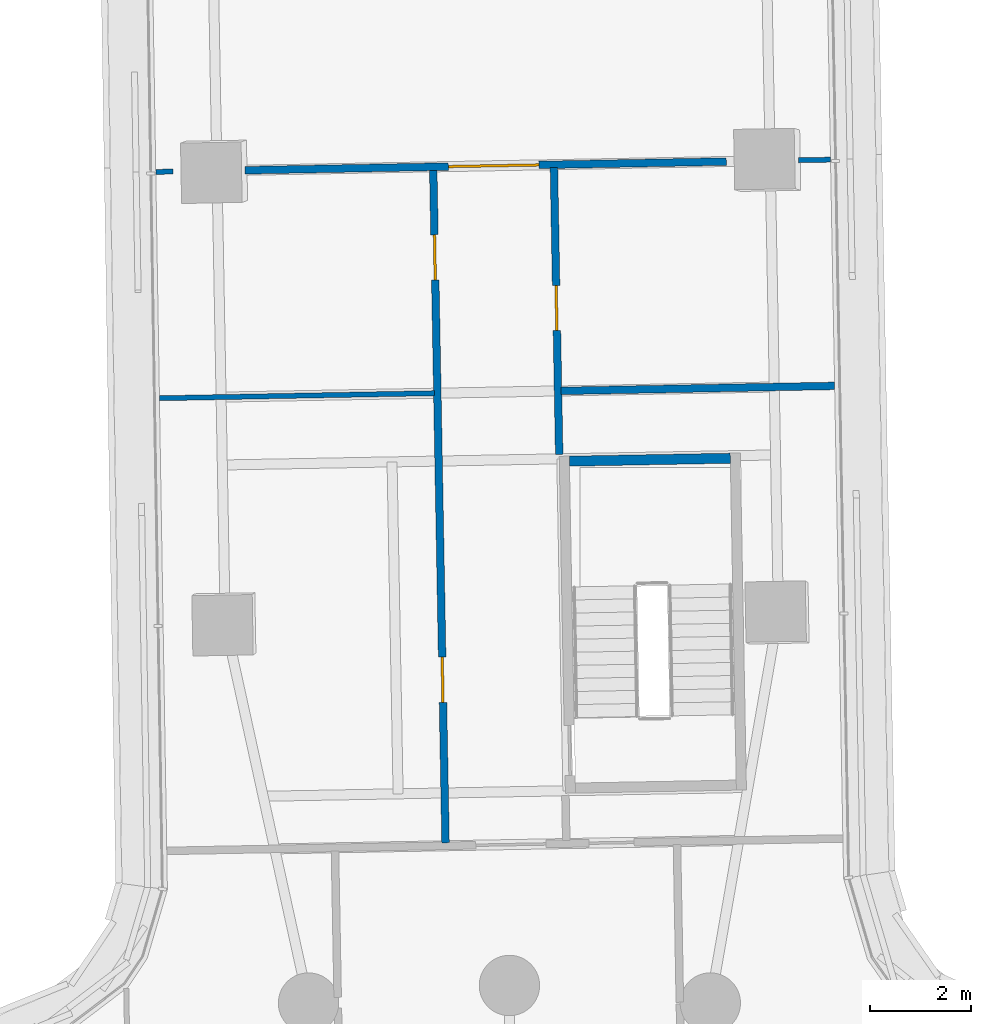
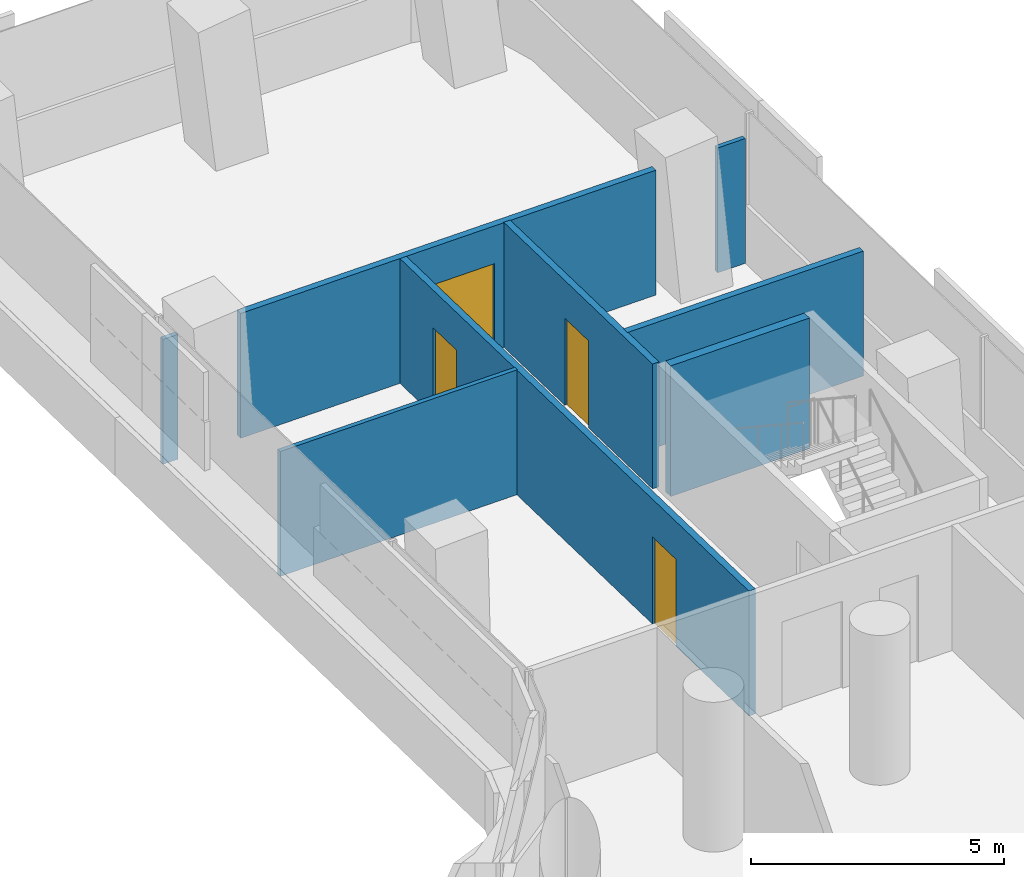
# One storey, part 23 of 31: 8 walls, 4 doors, 4 openings.
"""IFC4 building model written with IfcOpenShell, lengths in metres."""

from ifc_helpers import new_model, si_unit, direction, frame, frame_2d, origin, place, context, subcontext, project, spatial, polyline, rectangle, outline, extrude, material, layer, layer_set, type_object, element, fill, save


model = new_model("IFC4")

# Units and contexts
model_context = context("Model", 3, precision=1e-05, world=origin(), true_north=direction((0.0, 1.0)))
body_context = subcontext(model_context, "Body", "Model", "MODEL_VIEW")
ifc_project = project(units=[si_unit("LENGTHUNIT", "METRE"), si_unit("AREAUNIT", "SQUARE_METRE"), si_unit("VOLUMEUNIT", "CUBIC_METRE"), si_unit("PLANEANGLEUNIT", "RADIAN"), si_unit("MASSUNIT", "GRAM", prefix="KILO")], contexts=[model_context])

# Site, building, storey
site_placement = place(None, origin())
site = spatial("IfcSite", under=ifc_project, at=site_placement, CompositionType="ELEMENT")
building_placement = place(site_placement, origin())
building = spatial("IfcBuilding", under=site, at=building_placement, Name="Tamarind Cross Interchange Tower", CompositionType="ELEMENT")
storey_placement = place(building_placement, frame((0.0, 0.0, 37.75)))
storey = spatial("IfcBuildingStorey", under=building, at=storey_placement, Name="L07", CompositionType="ELEMENT", Elevation=37.75)

# Walls
ifc_material_1 = material(Name="Gypsum board partition on steel studs", Category="steel")
ifc_layer_1 = layer(ifc_material_1, 0.10009765625)
ifc_layer_set_1 = layer_set([ifc_layer_1], Name="Gypsum board partition on steel studs")
wall_type_1 = type_object("IfcWallType", Name="Partition 100 mm EI 90", PredefinedType="PARTITIONING", material=ifc_layer_set_1)
wall_1_placement = place(storey_placement, frame((-7.030029296875, 39.175048828125, 0.0), z_axis=(0.0, 0.0, 1.0), x_axis=(0.999838530476, 0.017969779484, 0.0)))
element("IfcWall", 1, at=wall_1_placement, inside=storey, type_object=wall_type_1, Name="Partition L07-050", PredefinedType="PARTITIONING", context=body_context, shape_type="SweptSolid", body=[
    extrude(rectangle(XDim=0.339599609375, YDim=0.10009765625, at=frame_2d((0.169921875, 0.0))), origin(), (0.0, 0.0, 1.0), 3.010009765625),
])
wall_2_placement = place(storey_placement, frame((5.744873046875, 39.406494140625, 0.0), z_axis=(0.0, 0.0, 1.0), x_axis=(0.999831190784, 0.018373620658, 0.0)))
element("IfcWall", 2, at=wall_2_placement, inside=storey, type_object=wall_type_1, Name="Partition L07-052", PredefinedType="PARTITIONING", context=body_context, shape_type="SweptSolid", body=[
    extrude(rectangle(XDim=0.6376953125, YDim=0.10009765625, at=frame_2d((0.31884765625, 0.0))), origin(), (0.0, 0.0, 1.0), 3.010009765625),
])
wall_3_placement = place(storey_placement, frame((-6.95703125, 34.675048828125, 0.0), z_axis=(0.0, 0.0, 1.0), x_axis=(0.999833064429, 0.018271378551, 0.0)))
element("IfcWall", 3, at=wall_3_placement, inside=storey, type_object=wall_type_1, Name="Partition L07-053", PredefinedType="PARTITIONING", context=body_context, shape_type="SweptSolid", body=[
    extrude(rectangle(XDim=5.465087890625, YDim=0.10009765625, at=frame_2d((2.732421875, 0.0))), origin(), (0.0, 0.0, 1.0), 3.010009765625),
])

# Wall, openings, doors
ifc_layer_2 = layer(ifc_material_1, 0.14990234375)
ifc_layer_set_2 = layer_set([ifc_layer_2], Name="Gypsum board partition on steel studs")
wall_type_2 = type_object("IfcWallType", Name="Partition 150 mm EI 120", PredefinedType="PARTITIONING", material=ifc_layer_set_2)
wall_4_placement = place(storey_placement, frame((-1.513916015625, 39.215087890625, 0.0), z_axis=(0.0, 0.0, 1.0), x_axis=(0.01822789613, -0.9998338581, 0.0)))
wall_4 = element("IfcWall", 4, at=wall_4_placement, inside=storey, type_object=wall_type_2, Name="Partition L07-013", PredefinedType="PARTITIONING", context=body_context, shape_type="SweptSolid", body=[
    extrude(rectangle(XDim=13.38037109375, YDim=0.14990234375, at=frame_2d((6.690185546875, 0.0))), origin(), (0.0, 0.0, 1.0), 3.010009765625),
])
opening_1_placement = place(wall_4_placement, frame((9.689697265625, 0.0, 0.0)))
opening_1 = element("IfcOpeningElement", 5, at=opening_1_placement, cuts=wall_4, Name="Opening D05", PredefinedType="OPENING", context=body_context, shape_type="SweptSolid", body=[
    extrude(rectangle(XDim=0.89990234375, YDim=2.10009765625, at=frame_2d((0.449951171875, 1.050048828125))), frame((0.0, 0.0849609375, 0.0), z_axis=(0.0, -1.0, 0.0), x_axis=(1.0, 0.0, 0.0)), (0.0, 0.0, 1.0), 0.169921875),
])
opening_2_placement = place(wall_4_placement, frame((1.2900390625, 0.0, 0.0)))
opening_2 = element("IfcOpeningElement", 6, at=opening_2_placement, cuts=wall_4, Name="Opening D06", PredefinedType="OPENING", context=body_context, shape_type="SweptSolid", body=[
    extrude(rectangle(XDim=0.89990234375, YDim=2.10009765625, at=frame_2d((0.449951171875, 1.050048828125))), frame((0.0, 0.0849609375, 0.0), z_axis=(0.0, -1.0, 0.0), x_axis=(1.0, 0.0, 0.0)), (0.0, 0.0, 1.0), 0.169921875),
])
ifc_material_2 = material(Name="Fire-resisting door set")
door_type_1 = type_object("IfcDoorType", Name="Interior door 900 x 2100 FD60S", OperationType="SINGLE_SWING_LEFT", PredefinedType="DOOR", material=ifc_material_2)
door_1_placement = place(opening_1_placement, frame((0.89990234375, 0.0, 0.0), z_axis=(0.0, 0.0, 1.0), x_axis=(-1.0, 0.0, 0.0)))
door_1 = element("IfcDoor", 7, at=door_1_placement, inside=storey, type_object=door_type_1, Name="Door D05", OperationType="SINGLE_SWING_RIGHT", OverallHeight=2.10009765625, OverallWidth=0.89990234375, PredefinedType="DOOR", context=body_context, shape_type="SweptSolid", body=[
    extrude(rectangle(XDim=0.89990234375, YDim=2.10009765625, at=frame_2d((0.449951171875, 1.050048828125))), frame((0.0, 0.02490234375, 0.0), z_axis=(0.0, -1.0, 0.0), x_axis=(1.0, 0.0, 0.0)), (0.0, 0.0, 1.0), 0.050048828125),
])
fill(opening_1, door_1)
door_2_placement = place(opening_2_placement, frame((0.89990234375, 0.0, 0.0), z_axis=(0.0, 0.0, 1.0), x_axis=(-1.0, 0.0, 0.0)))
door_2 = element("IfcDoor", 8, at=door_2_placement, inside=storey, type_object=door_type_1, Name="Door D06", OperationType="SINGLE_SWING_LEFT", OverallHeight=2.10009765625, OverallWidth=0.89990234375, PredefinedType="DOOR", context=body_context, shape_type="SweptSolid", body=[
    extrude(rectangle(XDim=0.89990234375, YDim=2.10009765625, at=frame_2d((0.449951171875, 1.050048828125))), frame((0.0, 0.02490234375, 0.0), z_axis=(0.0, -1.0, 0.0), x_axis=(1.0, 0.0, 0.0)), (0.0, 0.0, 1.0), 0.050048828125),
])
fill(opening_2, door_2)

# Wall, opening, door
wall_5_placement = place(storey_placement, frame((0.885009765625, 39.259033203125, 0.0), z_axis=(0.0, 0.0, 1.0), x_axis=(0.018332965002, -0.999831937075, 0.0)))
wall_5 = element("IfcWall", 9, at=wall_5_placement, inside=storey, type_object=wall_type_2, Name="Partition L07-015", PredefinedType="PARTITIONING", context=body_context, shape_type="SweptSolid", body=[
    extrude(rectangle(XDim=5.69970703125, YDim=0.14990234375, at=frame_2d((2.849853515625, 0.0))), origin(), (0.0, 0.0, 1.0), 3.010009765625),
])
opening_3_placement = place(wall_5_placement, frame((2.340087890625, 0.0, 0.0)))
opening_3 = element("IfcOpeningElement", 10, at=opening_3_placement, cuts=wall_5, Name="Opening D09", PredefinedType="OPENING", context=body_context, shape_type="SweptSolid", body=[
    extrude(rectangle(XDim=0.89990234375, YDim=2.10009765625, at=frame_2d((0.449951171875, 1.050048828125))), frame((0.0, 0.0849609375, 0.0), z_axis=(0.0, -1.0, 0.0), x_axis=(1.0, 0.0, 0.0)), (0.0, 0.0, 1.0), 0.169921875),
])
door_3_placement = place(opening_3_placement, origin())
door_3 = element("IfcDoor", 11, at=door_3_placement, inside=storey, type_object=door_type_1, Name="Door D09", OperationType="SINGLE_SWING_RIGHT", OverallHeight=2.10009765625, OverallWidth=0.89990234375, PredefinedType="DOOR", context=body_context, shape_type="SweptSolid", body=[
    extrude(rectangle(XDim=0.89990234375, YDim=2.10009765625, at=frame_2d((0.449951171875, 1.050048828125))), frame((0.0, 0.02490234375, 0.0), z_axis=(0.0, -1.0, 0.0), x_axis=(1.0, 0.0, 0.0)), (0.0, 0.0, 1.0), 0.050048828125),
])
fill(opening_3, door_3)

wall_6_placement = place(storey_placement, frame((-5.25830078125, 39.20703125, 0.0), z_axis=(0.0, 0.0, 1.0), x_axis=(0.999835526326, 0.01813615989, 0.0)))
wall_6 = element("IfcWall", 12, at=wall_6_placement, inside=storey, type_object=wall_type_2, Name="Partition L07-051", PredefinedType="PARTITIONING", context=body_context, shape_type="SweptSolid", body=[
    extrude(rectangle(XDim=9.571044921875, YDim=0.14990234375, at=frame_2d((4.78564453125, 0.0))), origin(), (0.0, 0.0, 1.0), 3.010009765625),
])
opening_4_placement = place(wall_6_placement, frame((4.043701171875, 0.0, 0.0)))
opening_4 = element("IfcOpeningElement", 13, at=opening_4_placement, cuts=wall_6, Name="Opening D27", PredefinedType="OPENING", context=body_context, shape_type="SweptSolid", body=[
    extrude(rectangle(XDim=1.800048828125, YDim=2.10009765625, at=frame_2d((0.89990234375, 1.050048828125))), frame((0.0, 0.0849609375, 0.0), z_axis=(0.0, -1.0, 0.0), x_axis=(1.0, 0.0, 0.0)), (0.0, 0.0, 1.0), 0.169921875),
])
door_type_2 = type_object("IfcDoorType", Name="Interior door 1800 x 2100 FD60S", OperationType="DOUBLE_DOOR_SINGLE_SWING", PredefinedType="DOOR", material=ifc_material_2)
door_4_placement = place(opening_4_placement, frame((1.800048828125, 0.0, 0.0), z_axis=(0.0, 0.0, 1.0), x_axis=(-1.0, 0.0, 0.0)))
door_4 = element("IfcDoor", 14, at=door_4_placement, inside=storey, type_object=door_type_2, Name="Door D27", OperationType="DOUBLE_DOOR_SINGLE_SWING", OverallHeight=2.10009765625, OverallWidth=1.800048828125, PredefinedType="DOOR", context=body_context, shape_type="SweptSolid", body=[
    extrude(rectangle(XDim=1.800048828125, YDim=2.10009765625, at=frame_2d((0.89990234375, 1.050048828125))), frame((0.0, 0.02490234375, 0.0), z_axis=(0.0, -1.0, 0.0), x_axis=(1.0, 0.0, 0.0)), (0.0, 0.0, 1.0), 0.050048828125),
])
fill(opening_4, door_4)

# Walls
wall_7_placement = place(storey_placement, frame((1.02587890625, 34.821044921875, 0.0), z_axis=(0.0, 0.0, 1.0), x_axis=(0.999833145968, 0.01826691612, 0.0)))
element("IfcWall", 15, at=wall_7_placement, inside=storey, type_object=wall_type_2, Name="Partition L07-054", PredefinedType="PARTITIONING", context=body_context, shape_type="SweptSolid", body=[
    extrude(rectangle(XDim=5.439697265625, YDim=0.14990234375, at=frame_2d((2.7197265625, 0.0))), origin(), (0.0, 0.0, 1.0), 3.010009765625),
])
ifc_material_3 = material(Name="Concrete C40", Category="concrete")
ifc_layer_3 = layer(ifc_material_3, 0.199951171875)
ifc_layer_set_3 = layer_set([ifc_layer_3], Name="Concrete C40")
wall_type_3 = type_object("IfcWallType", Name="Stair shaft wall 200 mm Concrete C40", PredefinedType="SHEAR", material=ifc_layer_set_3)
wall_8_placement = place(storey_placement, frame((0.0, 0.0, -0.139892578125)))
element("IfcWall", 16, at=wall_8_placement, inside=storey, type_object=wall_type_3, Name="Core wall CWL-L07-ST4-CF", PredefinedType="SHEAR", context=body_context, shape_type="SweptSolid", body=[
    extrude(outline(polyline([(4.393310546875, 33.382080078125), (4.389404296875, 33.58203125), (1.190185546875, 33.523681640625), (1.193603515625, 33.323486328125), (4.393310546875, 33.382080078125)])), origin(), (0.0, 0.0, 1.0), 3.14990234375),
])

save(model, "model.ifc")
